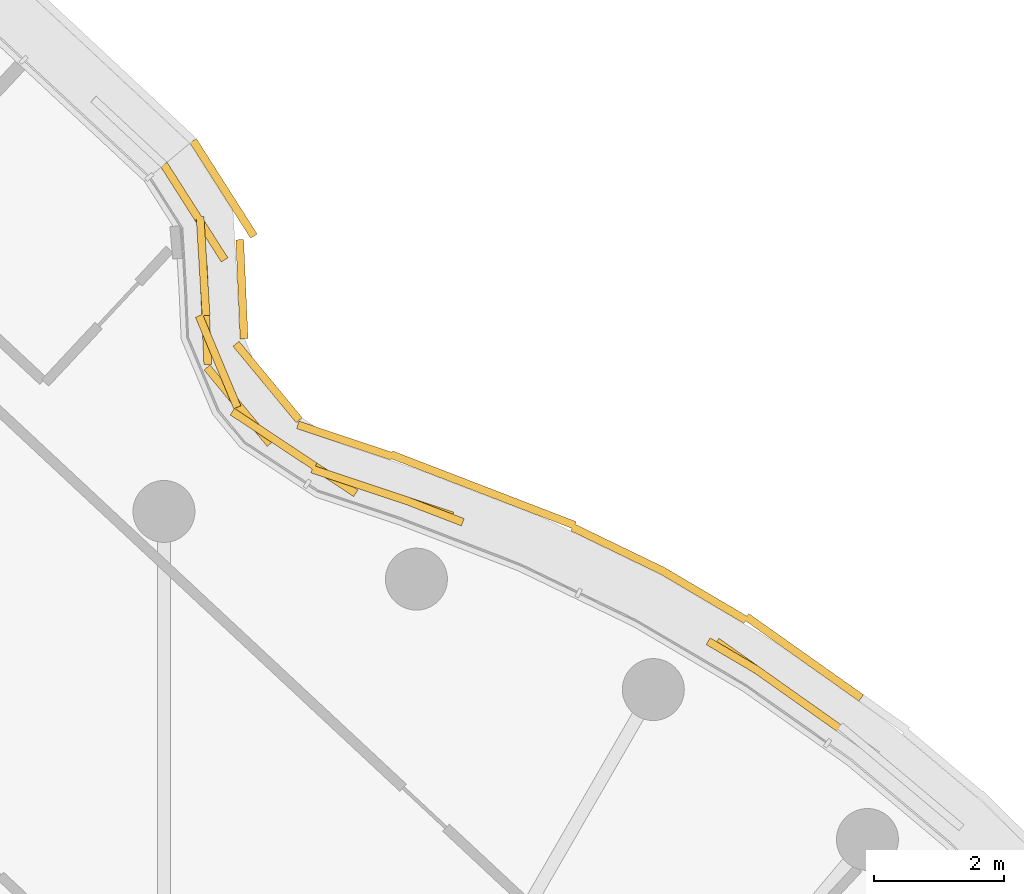
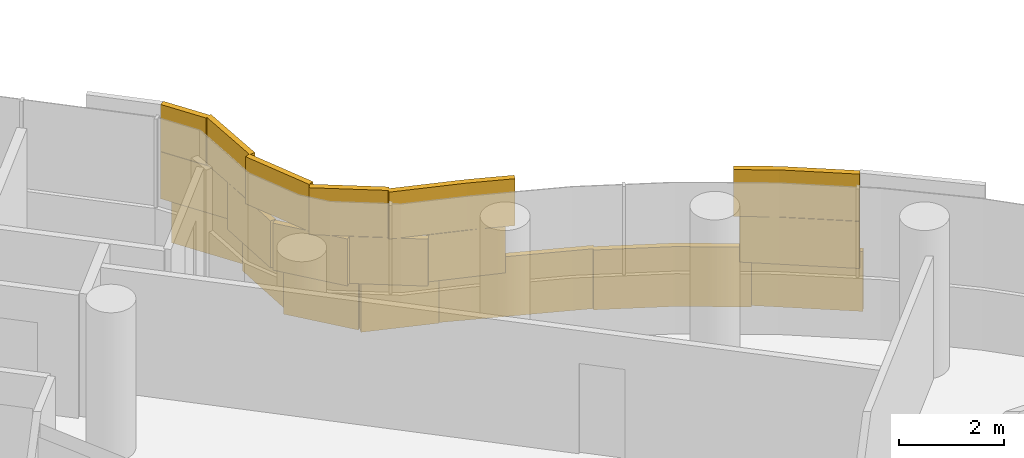
# One storey, part 29 of 30: 1 covering.
"""IFC4 building model written with IfcOpenShell, lengths in metres."""

import ifcopenshell
import ifcopenshell.guid

model = None  # the IFC model being written
_history = None  # IfcOwnerHistory: only IFC2X3 demands one
_inside = {}  # id of a spatial element -> (the spatial element, [elements in it])
_under = {}  # id of a project, library or spatial element -> (it, [spatial elements below it])
_declared = {}  # id of a project -> (the project, [libraries it declares])
_typed = {}  # id of a type object -> (the type object, [elements of that type])
_made_of = {}  # id of a material, layer set ... -> (it, [elements and type objects made of it])


def new_model(schema):
    """Start an empty IFC model of exactly this schema.

    Asked for "IFC4X3", IfcOpenShell would pick the latest addendum, in which some entities
    have other attributes; the version numbers below select the first issue.
    IFC2X3 requires an IfcOwnerHistory on every rooted entity: one is made here for all.
    """
    global model, _history
    if schema == "IFC4X3":
        model = ifcopenshell.file(schema_version=(4, 3, 0, 0))
    else:
        model = ifcopenshell.file(schema=schema)
    _inside.clear()
    _under.clear()
    _declared.clear()
    _typed.clear()
    _made_of.clear()
    _history = None
    if model.schema == "IFC2X3":
        org = make("IfcOrganization", Name="unknown")
        user = make(
            "IfcPersonAndOrganization",
            ThePerson=make("IfcPerson", FamilyName="unknown"),
            TheOrganization=org,
        )
        app = make(
            "IfcApplication",
            ApplicationDeveloper=org,
            Version="unknown",
            ApplicationFullName="unknown",
            ApplicationIdentifier="unknown",
        )
        _history = make(
            "IfcOwnerHistory",
            OwningUser=user,
            OwningApplication=app,
            ChangeAction="ADDED",
            CreationDate=0,
        )
    return model


def make(cls, **values):
    """One entity of the class cls with the attributes given. An attribute that is None is left unset."""
    return model.create_entity(
        cls, **{name: value for name, value in values.items() if value is not None}
    )


def rooted(cls, **values):
    """An entity with a GlobalId (a new one), such as an element, a storey or a relation."""
    return make(cls, GlobalId=ifcopenshell.guid.new(), OwnerHistory=_history, **values)


def si_unit(unit_type, name, prefix=None):
    """IfcSIUnit, for example si_unit("LENGTHUNIT", "METRE", prefix="MILLI")."""
    return make("IfcSIUnit", UnitType=unit_type, Prefix=prefix, Name=name)


def assignment(units):
    """IfcUnitAssignment: the units of a project."""
    return None if units is None else make("IfcUnitAssignment", Units=units)


def point(xyz):
    """IfcCartesianPoint."""
    return None if xyz is None else make("IfcCartesianPoint", Coordinates=xyz)


def direction(xyz):
    """IfcDirection."""
    return None if xyz is None else make("IfcDirection", DirectionRatios=xyz)


def frame(location, z_axis=None, x_axis=None):
    """IfcAxis2Placement3D, a coordinate frame: its origin and axes. An axis left out is left unset."""
    return make(
        "IfcAxis2Placement3D",
        Location=point(location),
        Axis=direction(z_axis),
        RefDirection=direction(x_axis),
    )


def frame_2d(location, x_axis=None):
    """IfcAxis2Placement2D, a coordinate frame in the plane: its origin and x axis."""
    return make(
        "IfcAxis2Placement2D", Location=point(location), RefDirection=direction(x_axis)
    )


def origin():
    """The frame at (0, 0, 0) with its axes left unset."""
    return frame((0.0, 0.0, 0.0))


def origin_2d():
    """The frame at (0, 0) in the plane with its x axis left unset."""
    return frame_2d((0.0, 0.0))


def place(relative_to, where):
    """IfcLocalPlacement: puts the frame where relative to a parent placement (None: the world)."""
    return make(
        "IfcLocalPlacement", PlacementRelTo=relative_to, RelativePlacement=where
    )


def context(
    kind, dimensions, precision=None, world=None, true_north=None, identifier=None
):
    """IfcGeometricRepresentationContext, for example the 3D "Model" context."""
    return make(
        "IfcGeometricRepresentationContext",
        ContextIdentifier=identifier,
        ContextType=kind,
        CoordinateSpaceDimension=dimensions,
        Precision=precision,
        WorldCoordinateSystem=world,
        TrueNorth=true_north,
    )


def subcontext(parent, identifier, kind, view, scale=None):
    """IfcGeometricRepresentationSubContext, for example "Body" below "Model"."""
    return make(
        "IfcGeometricRepresentationSubContext",
        ContextIdentifier=identifier,
        ContextType=kind,
        ParentContext=parent,
        TargetScale=scale,
        TargetView=view,
    )


def project(units=None, contexts=None):
    """IfcProject with its units and contexts."""
    return rooted(
        "IfcProject",
        Name="project",
        RepresentationContexts=contexts,
        UnitsInContext=assignment(units),
    )


def spatial(cls, under=None, at=None, **own):
    """A site, building, storey or space (cls), placed at a placement, below another one or the project."""
    s = rooted(cls, ObjectPlacement=at, **own)
    if under is not None:
        _under.setdefault(under.id(), (under, []))[1].append(s)
    return s


def profile(cls, at=None, kind="AREA", **sizes):
    """A parametric profile (cls). Its sizes go by their IFC names, for example OverallWidth=200.0."""
    return make(cls, ProfileType=kind, Position=at, **sizes)


def rectangle(**sizes):
    """IfcRectangleProfileDef."""
    return profile("IfcRectangleProfileDef", **sizes)


def extrude(swept, where, along, depth):
    """IfcExtrudedAreaSolid: the profile swept, set in the frame where, extruded along a direction by depth."""
    return make(
        "IfcExtrudedAreaSolid",
        SweptArea=swept,
        Position=where,
        ExtrudedDirection=direction(along),
        Depth=depth,
    )


def shape(context_of_items, identifier, shape_type, items):
    """IfcShapeRepresentation: the items that make up one representation, for example the "Body"."""
    return make(
        "IfcShapeRepresentation",
        ContextOfItems=context_of_items,
        RepresentationIdentifier=identifier,
        RepresentationType=shape_type,
        Items=items,
    )


def material(Name=None, Category=None):
    """IfcMaterial."""
    return make("IfcMaterial", Name=Name, Category=Category)


def layer(
    of_material, thickness, ventilated=None, Name=None, Category=None, Priority=None
):
    """IfcMaterialLayer: one layer of a wall or slab, of a material (None: an air gap)."""
    return make(
        "IfcMaterialLayer",
        Material=of_material,
        LayerThickness=thickness,
        IsVentilated=ventilated,
        Name=Name,
        Category=Category,
        Priority=Priority,
    )


def layer_set(layers, Name=None):
    """IfcMaterialLayerSet."""
    return make("IfcMaterialLayerSet", MaterialLayers=layers, LayerSetName=Name)


def made_of(thing, what):
    """Note that an element or type object is made of a material, layer set ...; save() writes the relation."""
    if what is not None:
        _made_of.setdefault(what.id(), (what, []))[1].append(thing)
    return thing


def type_object(cls, material=None, **own):
    """A type object (cls), such as IfcWallType, which elements share."""
    return made_of(rooted(cls, **own), material)


def element(
    cls,
    number,
    at=None,
    inside=None,
    cuts=None,
    type_object=None,
    material=None,
    context=None,
    identifier="Body",
    shape_type=None,
    held_by="IfcProductDefinitionShape",
    body=None,
    shapes=None,
    **own,
):
    """One element of the class cls, such as IfcWall. Its Tag is "e" and its number.

    at: its placement. inside: the storey or other place that contains it. cuts: it is an
    opening in that element (IfcRelVoidsElement). A single representation is given by context,
    identifier, shape_type and body (its items); several are given by shapes. held_by: the class
    of the entity that holds the representations. save() writes the other relations.
    """
    e = rooted(cls, Tag="e%d" % number, ObjectPlacement=at, **own)
    if body is not None:
        shapes = [shape(context, identifier, shape_type, body)]
    if shapes is not None:
        e.Representation = make(held_by, Representations=shapes)
    if inside is not None:
        _inside.setdefault(inside.id(), (inside, []))[1].append(e)
    if cuts is not None:
        rooted(
            "IfcRelVoidsElement", RelatingBuildingElement=cuts, RelatedOpeningElement=e
        )
    if type_object is not None:
        _typed.setdefault(type_object.id(), (type_object, []))[1].append(e)
    return made_of(e, material)


def aggregate(whole, parts):
    """IfcRelAggregates: a whole, such as a stair, and the parts it consists of."""
    return rooted("IfcRelAggregates", RelatingObject=whole, RelatedObjects=parts)


def save(model, path):
    """Write the relations noted so far, then the file.

    IfcRelAggregates (storeys below a building ...), IfcRelContainedInSpatialStructure (elements
    in a storey), IfcRelDefinesByType, IfcRelAssociatesMaterial and IfcRelDeclares: one each for
    every whole, place, type object, material and project.
    """
    for whole, parts in _under.values():
        aggregate(whole, parts)
    for where, things in _inside.values():
        rooted(
            "IfcRelContainedInSpatialStructure",
            RelatedElements=things,
            RelatingStructure=where,
        )
    for kind, things in _typed.values():
        rooted("IfcRelDefinesByType", RelatedObjects=things, RelatingType=kind)
    for what, things in _made_of.values():
        rooted("IfcRelAssociatesMaterial", RelatedObjects=things, RelatingMaterial=what)
    for by, libraries in _declared.values():
        rooted("IfcRelDeclares", RelatingContext=by, RelatedDefinitions=libraries)
    model.write(path)


model = new_model("IFC4")

# Units and contexts
model_context = context("Model", 3, precision=1e-05, world=origin(), true_north=direction((0.0, 1.0)))
body_context = subcontext(model_context, "Body", "Model", "MODEL_VIEW")
ifc_project = project(units=[si_unit("LENGTHUNIT", "METRE"), si_unit("AREAUNIT", "SQUARE_METRE"), si_unit("VOLUMEUNIT", "CUBIC_METRE"), si_unit("PLANEANGLEUNIT", "RADIAN"), si_unit("MASSUNIT", "GRAM", prefix="KILO")], contexts=[model_context])

# Site, building, storey
site_placement = place(None, origin())
site = spatial("IfcSite", under=ifc_project, at=site_placement, CompositionType="ELEMENT")
building_placement = place(site_placement, origin())
building = spatial("IfcBuilding", under=site, at=building_placement, Name="Tamarind Cross Interchange Tower", CompositionType="ELEMENT")
storey_placement = place(building_placement, frame((0.0, 0.0, 204.10009765625)))
storey = spatial("IfcBuildingStorey", under=building, at=storey_placement, Name="L51", CompositionType="ELEMENT", Elevation=204.10009765625)

# Covering
ifc_material = material(Name="Terracotta", Category="masonry")
ifc_layer = layer(ifc_material, 0.1201171875)
ifc_layer_set = layer_set([ifc_layer], Name="Terracotta")
covering_type = type_object("IfcCoveringType", Name="Terracotta baguette screen unit", PredefinedType="MOLDING", material=ifc_layer_set)
covering_placement = place(storey_placement, origin())
element("IfcCovering", 1, at=covering_placement, inside=storey, type_object=covering_type, Name="SCR-L51-06-05", PredefinedType="MOLDING", context=body_context, shape_type="SweptSolid", body=[
    extrude(rectangle(XDim=0.797119140625, YDim=0.1201171875, at=origin_2d()), frame((14.0244140625, 19.557373046875, 1.40380859375), z_axis=(0.0, 0.0, 1.0), x_axis=(-0.816341886298, 0.577568978284, 0.0)), (0.0, 0.0, 1.0), 1.092041015625),
    extrude(rectangle(XDim=1.52001953125, YDim=0.1201171875, at=origin_2d()), frame((13.0908203125, 20.2177734375, 1.40380859375), z_axis=(0.0, 0.0, 1.0), x_axis=(-0.816341886298, 0.577568978284, 0.0)), (0.0, 0.0, 1.0), 1.092041015625),
    extrude(rectangle(XDim=1.52001953125, YDim=0.1201171875, at=origin_2d()), frame((7.70068359375, 22.821533203125, 1.40380859375), z_axis=(0.0, 0.0, 1.0), x_axis=(-0.94859176234, 0.316502240782, 0.0)), (0.0, 0.0, 1.0), 1.092041015625),
    extrude(rectangle(XDim=1.52001953125, YDim=0.1201171875, at=origin_2d()), frame((6.302978515625, 23.34814453125, 1.40380859375), z_axis=(0.0, 0.0, 1.0), x_axis=(-0.83408046056, 0.55164280591, 0.0)), (0.0, 0.0, 1.0), 1.092041015625),
    extrude(rectangle(XDim=1.52001953125, YDim=0.1201171875, at=origin_2d()), frame((5.139404296875, 24.273193359375, 1.40380859375), z_axis=(0.0, 0.0, 1.0), x_axis=(-0.637684419714, 0.770297722218, 0.0)), (0.0, 0.0, 1.0), 1.092041015625),
    extrude(rectangle(XDim=1.52001953125, YDim=0.1201171875, at=origin_2d()), frame((4.6328125, 25.663818359375, 1.40380859375), z_axis=(0.0, 0.0, 1.0), x_axis=(-0.044216981257, 0.999021950994, 0.0)), (0.0, 0.0, 1.0), 1.092041015625),
    extrude(rectangle(XDim=1.52001953125, YDim=0.1201171875, at=origin_2d()), frame((4.51611328125, 27.150634765625, 1.40380859375), z_axis=(0.0, 0.0, 1.0), x_axis=(-0.53717022134, 0.843473860475, 0.0)), (0.0, 0.0, 1.0), 1.092041015625),
    extrude(rectangle(XDim=0.228759765625, YDim=0.1201171875, at=origin_2d()), frame((4.054443359375, 27.87548828125, 1.40380859375), z_axis=(0.0, 0.0, 1.0), x_axis=(-0.53717022134, 0.843473860475, 0.0)), (0.0, 0.0, 1.0), 1.092041015625),
    extrude(rectangle(XDim=0.047119140625, YDim=0.1201171875, at=origin_2d()), frame((14.33056640625, 19.340576171875, 2.50390625), z_axis=(0.0, 0.0, 1.0), x_axis=(-0.816341886298, 0.577568978284, 0.0)), (0.0, 0.0, 1.0), 1.092041015625),
    extrude(rectangle(XDim=1.52001953125, YDim=0.1201171875, at=origin_2d()), frame((13.703125, 19.78466796875, 2.50390625), z_axis=(0.0, 0.0, 1.0), x_axis=(-0.816341886298, 0.577568978284, 0.0)), (0.0, 0.0, 1.0), 1.092041015625),
    extrude(rectangle(XDim=0.87548828125, YDim=0.1201171875, at=origin_2d()), frame((12.71826171875, 20.43798828125, 2.50390625), z_axis=(0.0, 0.0, 1.0), x_axis=(-0.861248933065, 0.508183308752, 0.0)), (0.0, 0.0, 1.0), 1.092041015625),
    extrude(rectangle(XDim=0.944580078125, YDim=0.1201171875, at=origin_2d()), frame((8.13720703125, 22.65478515625, 2.50390625), z_axis=(0.0, 0.0, 1.0), x_axis=(-0.933146843667, 0.359495435512, 0.0)), (0.0, 0.0, 1.0), 1.092041015625),
    extrude(rectangle(XDim=1.52001953125, YDim=0.1201171875, at=origin_2d()), frame((6.9892578125, 23.05908203125, 2.50390625), z_axis=(0.0, 0.0, 1.0), x_axis=(-0.94859176234, 0.316502240782, 0.0)), (0.0, 0.0, 1.0), 1.092041015625),
    extrude(rectangle(XDim=1.52001953125, YDim=0.1201171875, at=origin_2d()), frame((5.677490234375, 23.761962890625, 2.50390625), z_axis=(0.0, 0.0, 1.0), x_axis=(-0.83408046056, 0.55164280591, 0.0)), (0.0, 0.0, 1.0), 1.092041015625),
    extrude(rectangle(XDim=1.52001953125, YDim=0.1201171875, at=origin_2d()), frame((4.82568359375, 24.9501953125, 2.50390625), z_axis=(0.0, 0.0, 1.0), x_axis=(-0.38620432042, 0.922413260361, 0.0)), (0.0, 0.0, 1.0), 1.092041015625),
    extrude(rectangle(XDim=1.52001953125, YDim=0.1201171875, at=origin_2d()), frame((4.59423828125, 26.412841796875, 2.50390625), z_axis=(0.0, 0.0, 1.0), x_axis=(-0.060031687027, 0.99819647192, 0.0)), (0.0, 0.0, 1.0), 1.092041015625),
    extrude(rectangle(XDim=0.978759765625, YDim=0.1201171875, at=origin_2d()), frame((4.256103515625, 27.559326171875, 2.50390625), z_axis=(0.0, 0.0, 1.0), x_axis=(-0.53717022134, 0.843473860475, 0.0)), (0.0, 0.0, 1.0), 1.092041015625),
    extrude(rectangle(XDim=0.6533203125, YDim=0.1201171875, at=origin_2d()), frame((14.421142578125, 19.979736328125, 0.00390625), z_axis=(0.0, 0.0, 1.0), x_axis=(-0.816341886298, 0.577568978284, 0.0)), (0.0, 0.0, 1.0), 1.39208984375),
    extrude(rectangle(XDim=1.52001953125, YDim=0.1201171875, at=origin_2d()), frame((13.550537109375, 20.595703125, 0.00390625), z_axis=(0.0, 0.0, 1.0), x_axis=(-0.816341886298, 0.577568978284, 0.0)), (0.0, 0.0, 1.0), 1.39208984375),
    extrude(rectangle(XDim=1.52001953125, YDim=0.1201171875, at=origin_2d()), frame((12.266845703125, 21.370849609375, 0.00390625), z_axis=(0.0, 0.0, 1.0), x_axis=(-0.861248933065, 0.508183308752, 0.0)), (0.0, 0.0, 1.0), 1.39208984375),
    extrude(rectangle(XDim=1.52001953125, YDim=0.1201171875, at=origin_2d()), frame((10.94482421875, 22.076416015625, 0.00390625), z_axis=(0.0, 0.0, 1.0), x_axis=(-0.900272776334, 0.435326231914, 0.0)), (0.0, 0.0, 1.0), 1.39208984375),
    extrude(rectangle(XDim=1.52001953125, YDim=0.1201171875, at=origin_2d()), frame((9.58642578125, 22.71142578125, 0.00390625), z_axis=(0.0, 0.0, 1.0), x_axis=(-0.933146843667, 0.359495435512, 0.0)), (0.0, 0.0, 1.0), 1.39208984375),
    extrude(rectangle(XDim=1.52001953125, YDim=0.1201171875, at=origin_2d()), frame((8.186767578125, 23.250732421875, 0.00390625), z_axis=(0.0, 0.0, 1.0), x_axis=(-0.933146843667, 0.359495435512, 0.0)), (0.0, 0.0, 1.0), 1.39208984375),
    extrude(rectangle(XDim=1.52001953125, YDim=0.1201171875, at=origin_2d()), frame((6.768310546875, 23.73779296875, 0.00390625), z_axis=(0.0, 0.0, 1.0), x_axis=(-0.94859176234, 0.316502240782, 0.0)), (0.0, 0.0, 1.0), 1.39208984375),
    extrude(rectangle(XDim=1.52001953125, YDim=0.1201171875, at=origin_2d()), frame((5.583984375, 24.63623046875, 0.00390625), z_axis=(0.0, 0.0, 1.0), x_axis=(-0.637684419714, 0.770297722218, 0.0)), (0.0, 0.0, 1.0), 1.39208984375),
    extrude(rectangle(XDim=1.52001953125, YDim=0.1201171875, at=origin_2d()), frame((5.18994140625, 26.06005859375, 0.00390625), z_axis=(0.0, 0.0, 1.0), x_axis=(-0.044216981257, 0.999021950994, 0.0)), (0.0, 0.0, 1.0), 1.39208984375),
    extrude(rectangle(XDim=1.52001953125, YDim=0.1201171875, at=origin_2d()), frame((4.965576171875, 27.513671875, 0.00390625), z_axis=(0.0, 0.0, 1.0), x_axis=(-0.53717022134, 0.843473860475, 0.0)), (0.0, 0.0, 1.0), 1.39208984375),
    extrude(rectangle(XDim=0.237060546875, YDim=0.1201171875, at=origin_2d()), frame((4.50439453125, 28.23779296875, 0.00390625), z_axis=(0.0, 0.0, 1.0), x_axis=(-0.53717022134, 0.843473860475, 0.0)), (0.0, 0.0, 1.0), 1.39208984375),
])

save(model, "model.ifc")
